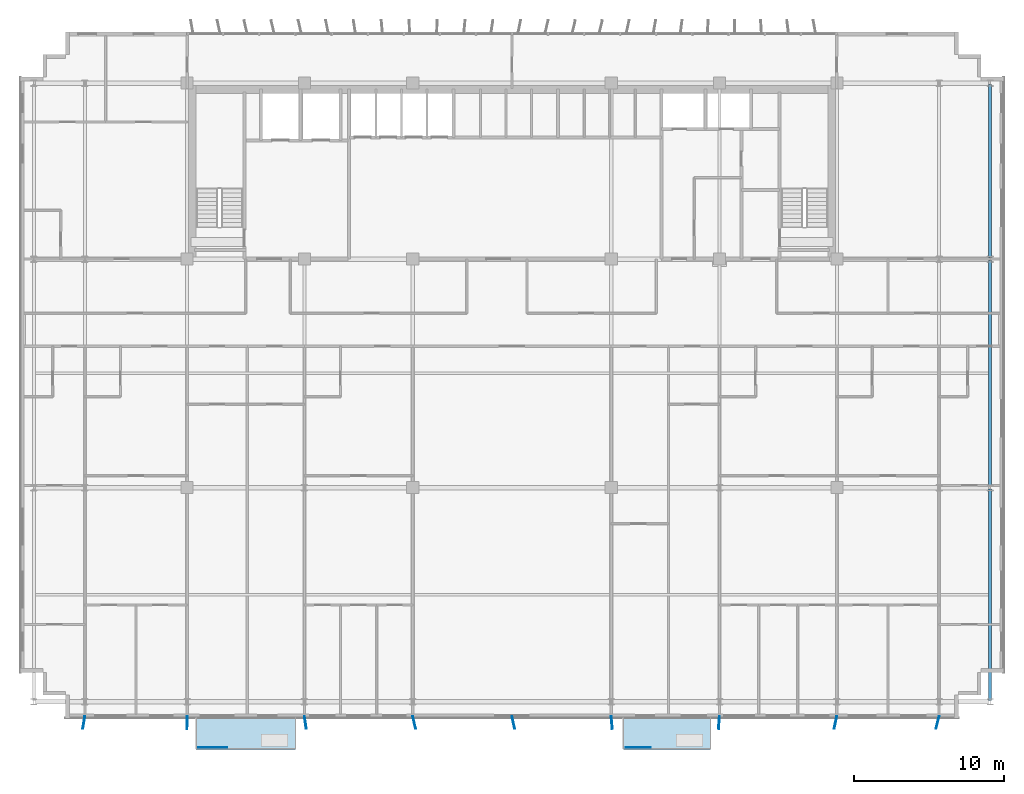
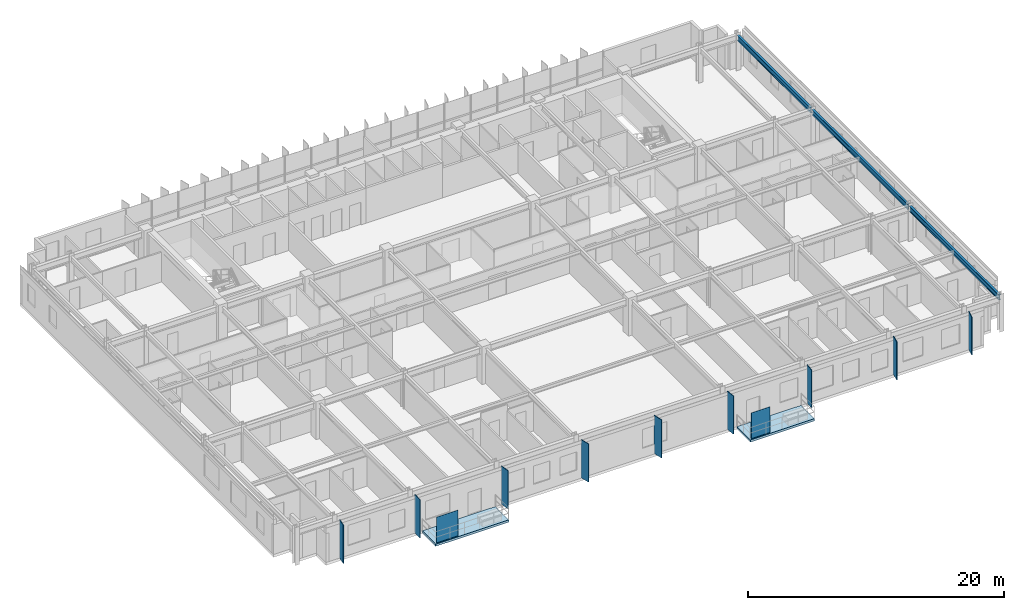
# One storey, part 12 of 22: 11 plates, 3 beams, 2 slabs.
"""IFC4 building model written with IfcOpenShell, lengths in metres."""

from ifc_helpers import new_model, si_unit, direction, frame, origin, origin_2d, place, context, subcontext, project, spatial, polyline, rectangle, i_section, outline, extrude, source, transform, mapped, material, layer, layer_set, material_profile, profile_set, type_object, element, save


model = new_model("IFC4")

# Units and contexts
model_context = context("Model", 3, precision=1e-05, world=origin(), true_north=direction((0.0, 1.0)))
body_context = subcontext(model_context, "Body", "Model", "MODEL_VIEW")
ifc_project = project(units=[si_unit("LENGTHUNIT", "METRE"), si_unit("AREAUNIT", "SQUARE_METRE"), si_unit("VOLUMEUNIT", "CUBIC_METRE"), si_unit("PLANEANGLEUNIT", "RADIAN"), si_unit("MASSUNIT", "GRAM", prefix="KILO")], contexts=[model_context])

# Site, building, storey
site_placement = place(None, origin())
site = spatial("IfcSite", under=ifc_project, at=site_placement, CompositionType="ELEMENT")
building_placement = place(site_placement, origin())
building = spatial("IfcBuilding", under=site, at=building_placement, Name="Trelvane Seafront Commons", CompositionType="ELEMENT")
storey_placement = place(building_placement, frame((0.0, 0.0, 92.5)))
storey = spatial("IfcBuildingStorey", under=building, at=storey_placement, Name="L23", CompositionType="ELEMENT", Elevation=92.5)

# Beams
ifc_material_1 = material(Name="Steel SM355 (S355)", Category="steel")
ifc_material_profile = material_profile(ifc_material_1, i_section(OverallWidth=0.199951171875, OverallDepth=0.5, WebThickness=0.010009765625, FlangeThickness=0.01611328125, at=origin_2d()), Name="H-500x200x10x16")
ifc_profile_set = profile_set([ifc_material_profile], Name="Steel SM355 (S355)")
beam_type = type_object("IfcBeamType", Name="STR-BM-H500", PredefinedType="BEAM", material=ifc_profile_set)
shared_shape_1 = source(origin(), body_context, "Body", "SweptSolid", [
    extrude(i_section(OverallWidth=0.199951171875, OverallDepth=0.5, WebThickness=0.010009765625, FlangeThickness=0.01611328125, at=origin_2d()), origin(), (0.0, 0.0, 1.0), 14.050048828125),
])
beam_1_placement = place(storey_placement, frame((69.0, 4.050048828125, 3.090087890625), z_axis=(0.0, 1.0, 0.0), x_axis=(-1.0, 0.0, 0.0)))
element("IfcBeam", 1, at=beam_1_placement, inside=storey, type_object=beam_type, Name="L23 Primary Girder G-64", PredefinedType="BEAM", context=body_context, shape_type="MappedRepresentation", body=[
    mapped(shared_shape_1, transform((0.0, 0.0, 0.0), x_axis=(1.0, 0.0, 0.0), y_axis=(0.0, 1.0, 0.0), z_axis=(0.0, 0.0, 1.0), scale=1.0)),
])
shared_shape_2 = source(origin(), body_context, "Body", "SweptSolid", [
    extrude(i_section(OverallWidth=0.199951171875, OverallDepth=0.5, WebThickness=0.010009765625, FlangeThickness=0.01611328125, at=origin_2d()), origin(), (0.0, 0.0, 1.0), 15.0),
])
beam_2_placement = place(storey_placement, frame((69.0, 18.300048828125, 3.090087890625), z_axis=(0.0, 1.0, 0.0), x_axis=(-1.0, 0.0, 0.0)))
element("IfcBeam", 2, at=beam_2_placement, inside=storey, type_object=beam_type, Name="L23 Primary Girder G-65", PredefinedType="BEAM", context=body_context, shape_type="MappedRepresentation", body=[
    mapped(shared_shape_2, transform((0.0, 0.0, 0.0), x_axis=(1.0, 0.0, 0.0), y_axis=(0.0, 1.0, 0.0), z_axis=(0.0, 0.0, 1.0), scale=1.0)),
])
shared_shape_3 = source(origin(), body_context, "Body", "SweptSolid", [
    extrude(i_section(OverallWidth=0.199951171875, OverallDepth=0.5, WebThickness=0.010009765625, FlangeThickness=0.01611328125, at=origin_2d()), origin(), (0.0, 0.0, 1.0), 11.5),
])
beam_3_placement = place(storey_placement, frame((69.0, 33.5, 3.090087890625), z_axis=(0.0, 1.0, 0.0), x_axis=(-1.0, 0.0, 0.0)))
element("IfcBeam", 3, at=beam_3_placement, inside=storey, type_object=beam_type, Name="L23 Primary Girder G-66", PredefinedType="BEAM", context=body_context, shape_type="MappedRepresentation", body=[
    mapped(shared_shape_3, transform((0.0, 0.0, 0.0), x_axis=(1.0, 0.0, 0.0), y_axis=(0.0, 1.0, 0.0), z_axis=(0.0, 0.0, 1.0), scale=1.0)),
])

# Slabs
ifc_material_2 = material(Name="Concrete C40/50", Category="concrete")
ifc_layer_1 = layer(ifc_material_2, 0.219970703125, Name="ARCH-BALC-220")
ifc_layer_set_1 = layer_set([ifc_layer_1], Name="Concrete C40/50")
slab_type = type_object("IfcSlabType", Name="ARCH-BALC-220", PredefinedType="FLOOR", material=ifc_layer_set_1)
slab_1_placement = place(storey_placement, frame((0.0, 0.0, -0.219970703125)))
element("IfcSlab", 4, at=slab_1_placement, inside=storey, type_object=slab_type, Name="L23 Cantilevered Tree Balcony Loggia 1", PredefinedType="FLOOR", context=body_context, shape_type="SweptSolid", body=[
    extrude(outline(polyline([(16.199951171875, 0.800048828125), (22.800048828125, 0.800048828125), (22.800048828125, 2.89990234375), (16.199951171875, 2.89990234375), (16.199951171875, 0.800048828125)])), origin(), (0.0, 0.0, 1.0), 0.219970703125),
])
slab_2_placement = place(storey_placement, frame((0.0, 0.0, -0.219970703125)))
element("IfcSlab", 5, at=slab_2_placement, inside=storey, type_object=slab_type, Name="L23 Cantilevered Tree Balcony Loggia 2", PredefinedType="FLOOR", context=body_context, shape_type="SweptSolid", body=[
    extrude(outline(polyline([(44.60009765625, 0.800048828125), (50.39990234375, 0.800048828125), (50.39990234375, 2.89990234375), (44.60009765625, 2.89990234375), (44.60009765625, 0.800048828125)])), origin(), (0.0, 0.0, 1.0), 0.219970703125),
])

# Plates
ifc_material_3 = material(Name="Perforated anodised aluminium screen", Category="aluminium")
ifc_layer_2 = layer(ifc_material_3, 0.01611328125, Name="ARCH-PLATE-SCREEN")
ifc_layer_set_2 = layer_set([ifc_layer_2], Name="Perforated anodised aluminium screen")
plate_type_1 = type_object("IfcPlateType", Name="ARCH-PLATE-SCREEN", PredefinedType="USERDEFINED", material=ifc_layer_set_2)
shared_shape_4 = source(origin(), body_context, "Body", "SweptSolid", [
    extrude(rectangle(XDim=1.9140625, YDim=0.01611328125, at=origin_2d()), origin(), (0.0, 0.0, 1.0), 2.449951171875),
])
plate_1_placement = place(storey_placement, frame((17.306884765625, 0.919921875, 0.0), z_axis=(0.0, 0.0, 1.0), x_axis=(1.0, 0.0, 0.0)))
element("IfcPlate", 6, at=plate_1_placement, inside=storey, type_object=plate_type_1, Name="SCR-L23-00084", ObjectType="SCREEN", PredefinedType="USERDEFINED", context=body_context, shape_type="MappedRepresentation", body=[
    mapped(shared_shape_4, transform((0.0, 0.0, 0.0), x_axis=(1.0, 0.0, 0.0), y_axis=(0.0, 1.0, 0.0), z_axis=(0.0, 0.0, 1.0), scale=1.0)),
])
shared_shape_5 = source(origin(), body_context, "Body", "SweptSolid", [
    extrude(rectangle(XDim=1.681884765625, YDim=0.01611328125, at=origin_2d()), origin(), (0.0, 0.0, 1.0), 2.449951171875),
])
plate_2_placement = place(storey_placement, frame((45.591064453125, 0.919921875, 0.0), z_axis=(0.0, 0.0, 1.0), x_axis=(1.0, 0.0, 0.0)))
element("IfcPlate", 7, at=plate_2_placement, inside=storey, type_object=plate_type_1, Name="SCR-L23-00085", ObjectType="SCREEN", PredefinedType="USERDEFINED", context=body_context, shape_type="MappedRepresentation", body=[
    mapped(shared_shape_5, transform((0.0, 0.0, 0.0), x_axis=(1.0, 0.0, 0.0), y_axis=(0.0, 1.0, 0.0), z_axis=(0.0, 0.0, 1.0), scale=1.0)),
])
ifc_material_4 = material(Name="Anodised pale-silver aluminium", Category="aluminium")
ifc_layer_3 = layer(ifc_material_4, 0.06005859375, Name="ARCH-PLATE-FIN900")
ifc_layer_set_3 = layer_set([ifc_layer_3], Name="Anodised pale-silver aluminium")
plate_type_2 = type_object("IfcPlateType", Name="ARCH-PLATE-FIN900", PredefinedType="USERDEFINED", material=ifc_layer_set_3)
shared_shape_6 = source(origin(), body_context, "Body", "SweptSolid", [
    extrude(rectangle(XDim=0.85009765625, YDim=0.06005859375, at=origin_2d()), origin(), (0.0, 0.0, 1.0), 3.639892578125),
])
for number, where, z_axis, x_axis, name in (
    (8, (8.7294921875, 2.580810546875, -0.02001953125), (0.0, 0.0, 1.0), (-0.166230084, -0.986086993715, 0.0), "FIN-S-L23-00575"),
    (9, (15.594482421875, 2.5751953125, -0.02001953125), (0.0, 0.0, 1.0), (-0.012824327796, -0.999917764927, 0.0), "FIN-S-L23-00576"),
    (10, (23.46240234375, 2.57958984375, -0.02001953125), (0.0, 0.0, 1.0), (0.146821975078, -0.989162932804, 0.0), "FIN-S-L23-00577"),
    (11, (30.7001953125, 2.5869140625, -0.02001953125), (0.0, 0.0, 1.0), (0.235997003569, -0.971753782759, 0.0), "FIN-S-L23-00578"),
    (12, (37.29150390625, 2.5849609375, -0.02001953125), (0.0, 0.0, 1.0), (0.215422233716, -0.976520998863, 0.0), "FIN-S-L23-00579"),
    (13, (43.83984375, 2.576904296875, -0.02001953125), (0.0, 0.0, 1.0), (0.093642630684, -0.995605874691, 0.0), "FIN-S-L23-00580"),
    (14, (50.96875, 2.576171875, -0.02001953125), (0.0, 0.0, 1.0), (-0.073528881248, -0.997293088125, 0.0), "FIN-S-L23-00581"),
    (15, (58.712890625, 2.583984375, -0.02001953125), (0.0, 0.0, 1.0), (-0.204931685276, -0.978776279019, 0.0), "FIN-S-L23-00582"),
    (16, (65.498046875, 2.58740234375, -0.02001953125), (0.0, 0.0, 1.0), (-0.23976718762, -0.970830415542, 0.0), "FIN-S-L23-00583"),
):
    element("IfcPlate", number, at=place(storey_placement, frame(where, z_axis=z_axis, x_axis=x_axis)), inside=storey, type_object=plate_type_2, Name=name, ObjectType="FIN", PredefinedType="USERDEFINED", context=body_context, shape_type="MappedRepresentation", body=[
        mapped(shared_shape_6, transform((0.0, 0.0, 0.0), x_axis=(1.0, 0.0, 0.0), y_axis=(0.0, 1.0, 0.0), z_axis=(0.0, 0.0, 1.0), scale=1.0)),
    ])

save(model, "model.ifc")
